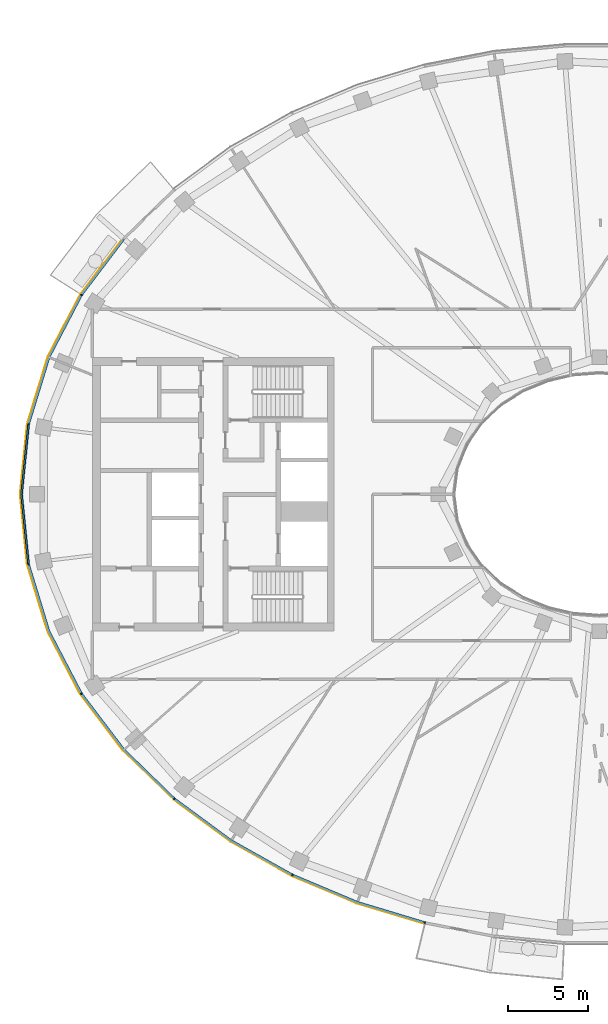
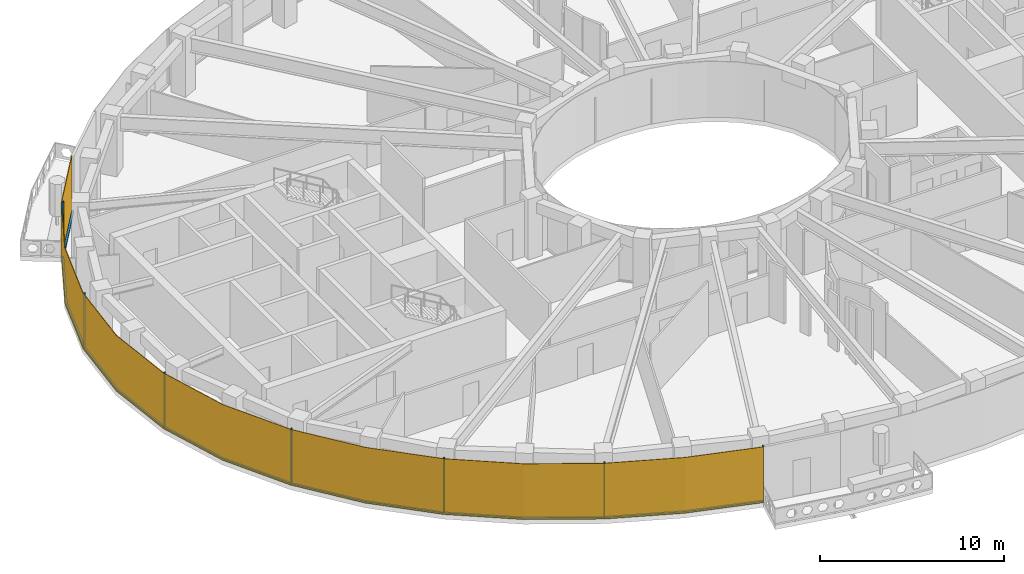
# One storey, part 8 of 16: 14 members, 1 curtain wall.
"""IFC4 building model written with IfcOpenShell, lengths in metres."""

from ifc_helpers import new_model, si_unit, direction, frame, origin, origin_2d, place, context, subcontext, project, spatial, polyline, rectangle, outline, extrude, material, layer, layer_set, material_profile, profile_set, type_object, element, aggregate, save


model = new_model("IFC4")

# Units and contexts
model_context = context("Model", 3, precision=1e-05, world=origin(), true_north=direction((0.0, 1.0)))
body_context = subcontext(model_context, "Body", "Model", "MODEL_VIEW")
ifc_project = project(units=[si_unit("LENGTHUNIT", "METRE"), si_unit("AREAUNIT", "SQUARE_METRE"), si_unit("VOLUMEUNIT", "CUBIC_METRE"), si_unit("PLANEANGLEUNIT", "RADIAN"), si_unit("MASSUNIT", "GRAM", prefix="KILO")], contexts=[model_context])

# Member
ifc_material_1 = material(Name="Aluminium 6063-T6 black anodised", Category="aluminium")
ifc_material_profile = material_profile(ifc_material_1, rectangle(XDim=0.1201171875, YDim=0.06005859375, at=origin_2d()), Name="120x60")
ifc_profile_set = profile_set([ifc_material_profile], Name="Aluminium 6063-T6 black anodised")
member_type_1 = type_object("IfcMemberType", Name="ENV-MULLION-A-120", PredefinedType="MULLION", material=ifc_profile_set)
site_placement = place(None, origin())
building_placement = place(site_placement, origin())
storey_placement = place(building_placement, frame((0.0, 0.0, 315.0)))
member_1_placement = place(storey_placement, frame((-32.177490234375, 12.385498046875, 0.0), z_axis=(0.0, 0.0, 1.0), x_axis=(0.844829880882, -0.53503501976, 0.0)))
member_1 = element("IfcMember", 1, at=member_1_placement, type_object=member_type_1, Name="Mullion A radial 21", PredefinedType="MULLION", context=body_context, shape_type="SweptSolid", body=[
    extrude(rectangle(XDim=0.1201171875, YDim=0.06005859375, at=origin_2d()), origin(), (0.0, 0.0, 1.0), 3.699951171875),
])

member_2_placement = place(storey_placement, frame((-35.470947265625, 4.340576171875, 0.0), z_axis=(0.0, 0.0, 1.0), x_axis=(0.980379083141, -0.19712141776, 0.0)))
member_2 = element("IfcMember", 2, at=member_2_placement, type_object=member_type_1, Name="Mullion A radial 23", PredefinedType="MULLION", context=body_context, shape_type="SweptSolid", body=[
    extrude(rectangle(XDim=0.1201171875, YDim=0.06005859375, at=origin_2d()), origin(), (0.0, 0.0, 1.0), 3.699951171875),
])

member_3_placement = place(storey_placement, frame((-35.470947265625, -4.340576171875, 0.0), z_axis=(0.0, 0.0, 1.0), x_axis=(0.980379083141, 0.19712141776, 0.0)))
member_3 = element("IfcMember", 3, at=member_3_placement, type_object=member_type_1, Name="Mullion A radial 25", PredefinedType="MULLION", context=body_context, shape_type="SweptSolid", body=[
    extrude(rectangle(XDim=0.1201171875, YDim=0.06005859375, at=origin_2d()), origin(), (0.0, 0.0, 1.0), 3.699951171875),
])

member_4_placement = place(storey_placement, frame((-32.177490234375, -12.385498046875, 0.0), z_axis=(0.0, 0.0, 1.0), x_axis=(0.844829880882, 0.53503501976, 0.0)))
member_4 = element("IfcMember", 4, at=member_4_placement, type_object=member_type_1, Name="Mullion A radial 27", PredefinedType="MULLION", context=body_context, shape_type="SweptSolid", body=[
    extrude(rectangle(XDim=0.1201171875, YDim=0.06005859375, at=origin_2d()), origin(), (0.0, 0.0, 1.0), 3.699951171875),
])

member_5_placement = place(storey_placement, frame((-26.403564453125, -18.9130859375, 0.0), z_axis=(0.0, 0.0, 1.0), x_axis=(0.646451313783, 0.762955240435, 0.0)))
member_5 = element("IfcMember", 5, at=member_5_placement, type_object=member_type_1, Name="Mullion A radial 29", PredefinedType="MULLION", context=body_context, shape_type="SweptSolid", body=[
    extrude(rectangle(XDim=0.1201171875, YDim=0.06005859375, at=origin_2d()), origin(), (0.0, 0.0, 1.0), 3.699951171875),
])

member_6_placement = place(storey_placement, frame((-19.06787109375, -23.6474609375, 0.0), z_axis=(0.0, 0.0, 1.0), x_axis=(0.439237769837, 0.898370848563, 0.0)))
member_6 = element("IfcMember", 6, at=member_6_placement, type_object=member_type_1, Name="Mullion A radial 31", PredefinedType="MULLION", context=body_context, shape_type="SweptSolid", body=[
    extrude(rectangle(XDim=0.1201171875, YDim=0.06005859375, at=origin_2d()), origin(), (0.0, 0.0, 1.0), 3.699951171875),
])

member_7_placement = place(storey_placement, frame((-10.84326171875, -26.60498046875, 0.0), z_axis=(0.0, 0.0, 1.0), x_axis=(0.239799081534, 0.970822538106, 0.0)))
member_7 = element("IfcMember", 7, at=member_7_placement, type_object=member_type_1, Name="Mullion A radial 33", PredefinedType="MULLION", context=body_context, shape_type="SweptSolid", body=[
    extrude(rectangle(XDim=0.1201171875, YDim=0.06005859375, at=origin_2d()), origin(), (0.0, 0.0, 1.0), 3.699951171875),
])

ifc_material_2 = material(Name="Aluminium 6063-T6 black anodised", Category="aluminium")
member_type_2 = type_object("IfcMemberType", Name="ENV-TRANSOM-A", PredefinedType="USERDEFINED", material=ifc_material_2)
member_8_placement = place(storey_placement, origin())
member_8 = element("IfcMember", 8, at=member_8_placement, type_object=member_type_2, Name="Transom A radial 20-21", ObjectType="TRANSOM", PredefinedType="USERDEFINED", context=body_context, shape_type="SweptSolid", body=[
    extrude(outline(polyline([(-29.595703125, 15.890869140625), (-32.211181640625, 12.43994140625), (-32.109375, 12.37548828125), (-29.505615234375, 15.811279296875), (-29.595703125, 15.890869140625)])), origin(), (0.0, 0.0, 1.0), 0.10009765625),
])

member_9_placement = place(storey_placement, origin())
member_9 = element("IfcMember", 9, at=member_9_placement, type_object=member_type_2, Name="Transom A radial 21-23", ObjectType="TRANSOM", PredefinedType="USERDEFINED", context=body_context, shape_type="SweptSolid", body=[
    extrude(outline(polyline([(-32.240966796875, 12.392578125), (-34.251220703125, 8.53662109375), (-35.521484375, 4.379150390625), (-35.4033203125, 4.355224609375), (-34.139892578125, 8.490966796875), (-32.139404296875, 12.328369140625), (-32.240966796875, 12.392578125)])), origin(), (0.0, 0.0, 1.0), 0.10009765625),
])

member_10_placement = place(storey_placement, origin())
member_10 = element("IfcMember", 10, at=member_10_placement, type_object=member_type_2, Name="Transom A radial 23-25", ObjectType="TRANSOM", PredefinedType="USERDEFINED", context=body_context, shape_type="SweptSolid", body=[
    extrude(outline(polyline([(-35.532470703125, 4.324462890625), (-35.9677734375, 0.0), (-35.532470703125, -4.324462890625), (-35.414306640625, -4.30078125), (-35.84716796875, 0.0), (-35.414306640625, 4.30078125), (-35.532470703125, 4.324462890625)])), origin(), (0.0, 0.0, 1.0), 0.10009765625),
])

member_11_placement = place(storey_placement, origin())
member_11 = element("IfcMember", 11, at=member_11_placement, type_object=member_type_2, Name="Transom A radial 25-27", ObjectType="TRANSOM", PredefinedType="USERDEFINED", context=body_context, shape_type="SweptSolid", body=[
    extrude(outline(polyline([(-35.521484375, -4.379150390625), (-34.251220703125, -8.53662109375), (-32.240966796875, -12.392578125), (-32.139404296875, -12.328369140625), (-34.139892578125, -8.490966796875), (-35.4033203125, -4.355224609375), (-35.521484375, -4.379150390625)])), origin(), (0.0, 0.0, 1.0), 0.10009765625),
])

member_12_placement = place(storey_placement, origin())
member_12 = element("IfcMember", 12, at=member_12_placement, type_object=member_type_2, Name="Transom A radial 27-29", ObjectType="TRANSOM", PredefinedType="USERDEFINED", context=body_context, shape_type="SweptSolid", body=[
    extrude(outline(polyline([(-32.211181640625, -12.43994140625), (-29.58349609375, -15.906982421875), (-26.46240234375, -18.939208984375), (-26.384765625, -18.847412109375), (-29.493408203125, -15.8271484375), (-32.109375, -12.37548828125), (-32.211181640625, -12.43994140625)])), origin(), (0.0, 0.0, 1.0), 0.10009765625),
])

member_13_placement = place(storey_placement, origin())
member_13 = element("IfcMember", 13, at=member_13_placement, type_object=member_type_2, Name="Transom A radial 29-31", ObjectType="TRANSOM", PredefinedType="USERDEFINED", context=body_context, shape_type="SweptSolid", body=[
    extrude(outline(polyline([(-26.419921875, -18.975341796875), (-22.9150390625, -21.556884765625), (-19.11865234375, -23.687744140625), (-19.06591796875, -23.57958984375), (-22.85009765625, -21.455810546875), (-26.342041015625, -18.883544921875), (-26.419921875, -18.975341796875)])), origin(), (0.0, 0.0, 1.0), 0.10009765625),
])

member_14_placement = place(storey_placement, origin())
member_14 = element("IfcMember", 14, at=member_14_placement, type_object=member_type_2, Name="Transom A radial 31-33", ObjectType="TRANSOM", PredefinedType="USERDEFINED", context=body_context, shape_type="SweptSolid", body=[
    extrude(outline(polyline([(-19.068359375, -23.71240234375), (-15.054443359375, -25.400146484375), (-10.884521484375, -26.655029296875), (-10.855712890625, -26.53857421875), (-15.013916015625, -25.287109375), (-19.015380859375, -23.604248046875), (-19.068359375, -23.71240234375)])), origin(), (0.0, 0.0, 1.0), 0.10009765625),
])

# Site, building, storey
site = spatial("IfcSite", under=ifc_project, at=site_placement, CompositionType="ELEMENT")
building = spatial("IfcBuilding", under=site, at=building_placement, Name="Noorbagh Ring Tower", CompositionType="ELEMENT")
storey = spatial("IfcBuildingStorey", under=building, at=storey_placement, Name="L68", CompositionType="ELEMENT", Elevation=315.0)

# Curtain wall
ifc_material_3 = material(Name="Glass dark tinted laminated", Category="glass")
ifc_layer = layer(ifc_material_3, 0.031982421875)
ifc_layer_set = layer_set([ifc_layer], Name="Glass dark tinted laminated")
curtain_wall_type = type_object("IfcCurtainWallType", Name="ENV-CW-A", PredefinedType="NOTDEFINED", material=ifc_layer_set)
curtain_wall_placement = place(storey_placement, origin())
curtain_wall = element("IfcCurtainWall", 15, at=curtain_wall_placement, inside=storey, type_object=curtain_wall_type, Name="Curtain wall A R20", PredefinedType="NOTDEFINED", context=body_context, shape_type="SweptSolid", body=[
    extrude(outline(polyline([(-29.61962890625, 15.912109375), (-32.255126953125, 12.434814453125), (-34.281005859375, 8.548828125), (-35.561279296875, 4.358642578125), (-36.0, 0.0), (-35.561279296875, -4.358642578125), (-34.281005859375, -8.548828125), (-32.255126953125, -12.434814453125), (-29.607666015625, -15.927978515625), (-26.463134765625, -18.9833984375), (-22.9326171875, -21.583740234375), (-19.108154296875, -23.730224609375), (-15.065185546875, -25.430419921875), (-10.884521484375, -26.6884765625), (-10.876708984375, -26.657470703125), (-15.054443359375, -25.400146484375), (-19.093994140625, -23.701416015625), (-22.9150390625, -21.556884765625), (-26.4423828125, -18.958740234375), (-29.58349609375, -15.906982421875), (-32.22802734375, -12.41748046875), (-34.251220703125, -8.53662109375), (-35.529541015625, -4.352294921875), (-35.9677734375, 0.0), (-35.529541015625, 4.352294921875), (-34.251220703125, 8.53662109375), (-32.22802734375, 12.41748046875), (-29.595703125, 15.890869140625), (-29.61962890625, 15.912109375)])), origin(), (0.0, 0.0, 1.0), 3.699951171875),
])

aggregate(curtain_wall, [member_1, member_2, member_3, member_4, member_5, member_6, member_7, member_8, member_9, member_10, member_11, member_12, member_13, member_14])

save(model, "model.ifc")
